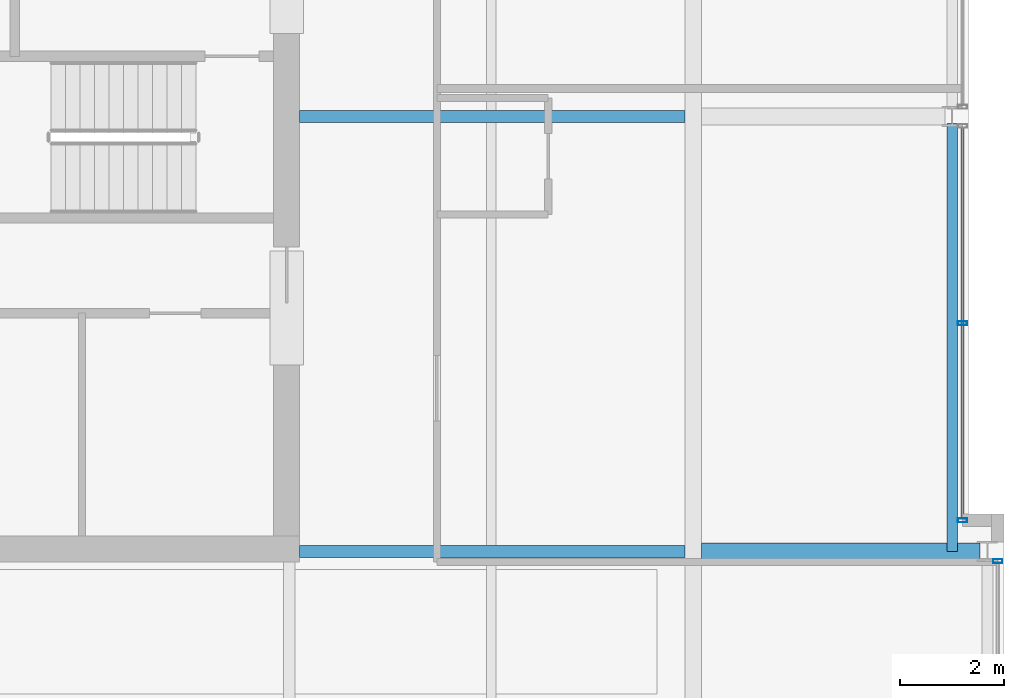
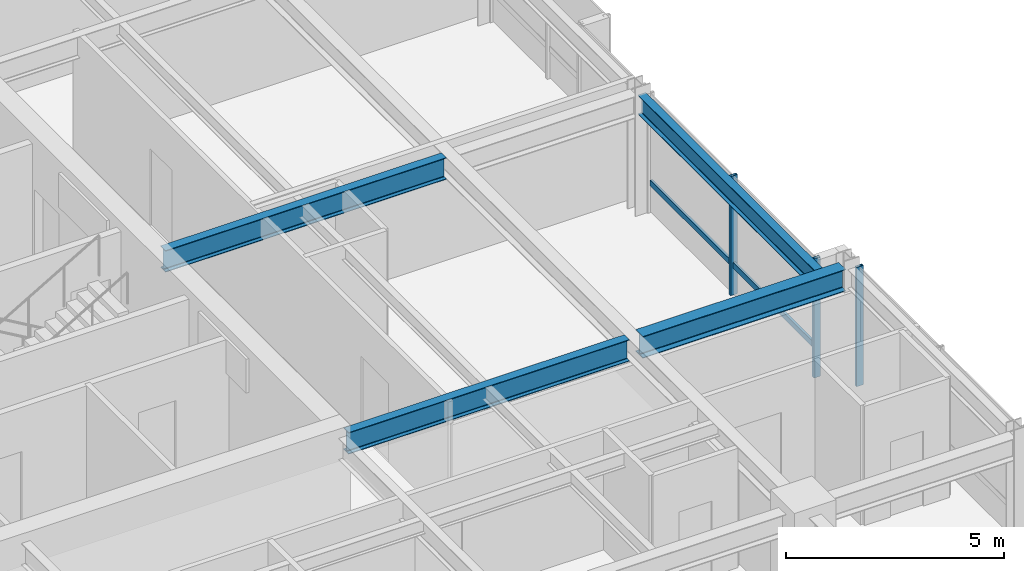
# One storey, part 15 of 32: 4 beams, 4 members, 2 elements without a shape of their own.
"""IFC4 building model written with IfcOpenShell, lengths in metres."""

from ifc_helpers import new_model, si_unit, direction, frame, origin, origin_2d, place, context, subcontext, project, spatial, hollow_rectangle, i_section, extrude, material, layer, layer_set, material_profile, profile_set, type_object, element, aggregate, save


model = new_model("IFC4")

# Units and contexts
model_context = context("Model", 3, precision=1e-05, world=origin(), true_north=direction((0.0, 1.0)))
body_context = subcontext(model_context, "Body", "Model", "MODEL_VIEW")
ifc_project = project(units=[si_unit("LENGTHUNIT", "METRE"), si_unit("AREAUNIT", "SQUARE_METRE"), si_unit("VOLUMEUNIT", "CUBIC_METRE"), si_unit("PLANEANGLEUNIT", "RADIAN"), si_unit("MASSUNIT", "GRAM", prefix="KILO")], contexts=[model_context])

# Site, building, storey
site_placement = place(None, origin())
site = spatial("IfcSite", under=ifc_project, at=site_placement, CompositionType="ELEMENT")
building_placement = place(site_placement, origin())
building = spatial("IfcBuilding", under=site, at=building_placement, Name="Drelvath Grand Hotel", CompositionType="ELEMENT")
storey_placement = place(building_placement, frame((0.0, 0.0, 223.10009765625)))
storey = spatial("IfcBuildingStorey", under=building, at=storey_placement, Name="L58", CompositionType="ELEMENT", Elevation=223.10009765625)

# Curtain wall, members
ifc_material_1 = material(Name="Platinum-Mist Anodised Aluminium Frame", Category="aluminium")
ifc_layer = layer(ifc_material_1, 0.199951171875)
ifc_layer_set = layer_set([ifc_layer], Name="Platinum-Mist Anodised Aluminium Frame")
curtain_wall_type = type_object("IfcCurtainWallType", Name="Stick Curtain Wall CW-05 Platinum Mist High-Rise", PredefinedType="NOTDEFINED", material=ifc_layer_set)
curtain_wall_1_placement = place(storey_placement, origin())
curtain_wall_1 = element("IfcCurtainWall", 1, at=curtain_wall_1_placement, inside=storey, type_object=curtain_wall_type, Name="L58 CW-05 Curtain Wall CW05-L58-EM1", PredefinedType="NOTDEFINED")
ifc_material_profile_1 = material_profile(ifc_material_1, hollow_rectangle(XDim=0.06494140625, YDim=0.159912109375, WallThickness=0.00390625, at=origin_2d()), Name="HSS160X65X4")
ifc_profile_set_1 = profile_set([ifc_material_profile_1], Name="Platinum-Mist Anodised Aluminium Frame")
member_type_1 = type_object("IfcMemberType", Name="Curtain Wall Horizontal Transom CW-05 HSS160X65X4", PredefinedType="USERDEFINED", material=ifc_profile_set_1)
member_1_placement = place(storey_placement, frame((21.39990234375, 26.774658203125, 0.8349609375), z_axis=(0.0, -1.0, 0.0), x_axis=(1.0, 0.0, 0.0)))
member_1 = element("IfcMember", 2, at=member_1_placement, type_object=member_type_1, Name="CW05-L58-EM1 Sill Transom", ObjectType="TRANSOM", PredefinedType="USERDEFINED", context=body_context, shape_type="SweptSolid", body=[
    extrude(hollow_rectangle(XDim=0.06494140625, YDim=0.159912109375, WallThickness=0.00390625, at=origin_2d()), origin(), (0.0, 0.0, 1.0), 7.53466796875),
])
ifc_material_profile_2 = material_profile(ifc_material_1, hollow_rectangle(XDim=0.074951171875, YDim=0.179931640625, WallThickness=0.0048828125, at=origin_2d()), Name="HSS180X75X5")
ifc_profile_set_2 = profile_set([ifc_material_profile_2], Name="Platinum-Mist Anodised Aluminium Frame")
member_type_2 = type_object("IfcMemberType", Name="Curtain Wall Vertical Mullion CW-05 HSS180X75X5", PredefinedType="MULLION", material=ifc_profile_set_2)
member_2_placement = place(storey_placement, frame((21.39990234375, 23.00732421875, 0.0), z_axis=(0.0, 0.0, 1.0), x_axis=(0.0, 1.0, 0.0)))
member_2 = element("IfcMember", 3, at=member_2_placement, type_object=member_type_2, Name="CW05-L58-EM1 Mullion 2", PredefinedType="MULLION", context=body_context, shape_type="SweptSolid", body=[
    extrude(hollow_rectangle(XDim=0.074951171875, YDim=0.179931640625, WallThickness=0.0048828125, at=origin_2d()), origin(), (0.0, 0.0, 1.0), 3.33984375),
])
member_3_placement = place(storey_placement, frame((21.39990234375, 19.199951171875, 0.0), z_axis=(0.0, 0.0, 1.0), x_axis=(0.0, 1.0, 0.0)))
member_3 = element("IfcMember", 4, at=member_3_placement, type_object=member_type_2, Name="CW05-L58-EM1 Mullion 3", PredefinedType="MULLION", context=body_context, shape_type="SweptSolid", body=[
    extrude(hollow_rectangle(XDim=0.074951171875, YDim=0.179931640625, WallThickness=0.0048828125, at=origin_2d()), origin(), (0.0, 0.0, 1.0), 3.33984375),
])
aggregate(curtain_wall_1, [member_2, member_3, member_1])

# Curtain wall, member
curtain_wall_2_placement = place(storey_placement, origin())
curtain_wall_2 = element("IfcCurtainWall", 5, at=curtain_wall_2_placement, inside=storey, type_object=curtain_wall_type, Name="L58 CW-05 Curtain Wall CW05-L58-ES2", PredefinedType="NOTDEFINED")
member_4_placement = place(storey_placement, frame((22.080078125, 18.414794921875, 0.0), z_axis=(0.0, 0.0, 1.0), x_axis=(0.0, 1.0, 0.0)))
member_4 = element("IfcMember", 6, at=member_4_placement, type_object=member_type_2, Name="CW05-L58-ES2 Mullion 1", PredefinedType="MULLION", context=body_context, shape_type="SweptSolid", body=[
    extrude(hollow_rectangle(XDim=0.074951171875, YDim=0.179931640625, WallThickness=0.0048828125, at=origin_2d()), origin(), (0.0, 0.0, 1.0), 3.33984375),
])
aggregate(curtain_wall_2, [member_4])

# Beams
ifc_material_2 = material(Name="Steel ASTM A992 Gr 50", Category="steel")
ifc_material_profile_3 = material_profile(ifc_material_2, i_section(OverallWidth=0.210205078125, OverallDepth=0.53662109375, WebThickness=0.010986328125, FlangeThickness=0.017333984375, FilletRadius=0.01806640625, at=origin_2d()), Name="W21X68")
ifc_profile_set_3 = profile_set([ifc_material_profile_3], Name="Steel ASTM A992 Gr 50")
beam_type_1 = type_object("IfcBeamType", Name="Perimeter Spandrel Beam W21X68", PredefinedType="SPANDREL", material=ifc_profile_set_3)
beam_1_placement = place(storey_placement, frame((21.199951171875, 18.60009765625, 3.071533203125), z_axis=(0.0, 1.0, 0.0), x_axis=(-1.0, 0.0, 0.0)))
element("IfcBeam", 7, at=beam_1_placement, inside=storey, type_object=beam_type_1, Name="L58 Spandrel East Mid S", PredefinedType="SPANDREL", context=body_context, shape_type="SweptSolid", body=[
    extrude(i_section(OverallWidth=0.210205078125, OverallDepth=0.53662109375, WebThickness=0.010986328125, FlangeThickness=0.017333984375, FilletRadius=0.01806640625, at=origin_2d()), origin(), (0.0, 0.0, 1.0), 8.260009765625),
])
ifc_material_profile_4 = material_profile(ifc_material_2, i_section(OverallWidth=0.323974609375, OverallDepth=0.611083984375, WebThickness=0.0126953125, FlangeThickness=0.01904296875, FilletRadius=0.02197265625, at=origin_2d()), Name="W24X104")
ifc_profile_set_4 = profile_set([ifc_material_profile_4], Name="Steel ASTM A992 Gr 50")
beam_type_2 = type_object("IfcBeamType", Name="Primary Floor Girder W24X104", PredefinedType="BEAM", material=ifc_profile_set_4)
beam_2_placement = place(storey_placement, frame((16.362060546875, 18.60009765625, 3.034423828125), z_axis=(1.0, 0.0, 0.0), x_axis=(0.0, 1.0, 0.0)))
element("IfcBeam", 8, at=beam_2_placement, inside=storey, type_object=beam_type_2, Name="L58 East Wing Girder D", PredefinedType="BEAM", context=body_context, shape_type="SweptSolid", body=[
    extrude(i_section(OverallWidth=0.323974609375, OverallDepth=0.611083984375, WebThickness=0.0126953125, FlangeThickness=0.01904296875, FilletRadius=0.02197265625, at=origin_2d()), origin(), (0.0, 0.0, 1.0), 5.3779296875),
])
ifc_material_profile_5 = material_profile(ifc_material_2, i_section(OverallWidth=0.228271484375, OverallDepth=0.607666015625, WebThickness=0.01123046875, FlangeThickness=0.017333984375, FilletRadius=0.02001953125, at=origin_2d()), Name="W24X76")
ifc_profile_set_5 = profile_set([ifc_material_profile_5], Name="Steel ASTM A992 Gr 50")
beam_type_3 = type_object("IfcBeamType", Name="Primary Floor Girder W24X76", PredefinedType="BEAM", material=ifc_profile_set_5)
for number, where, z_axis, x_axis, name in (
    (9, (8.60009765625, 18.60009765625, 3.0361328125), (1.0, 0.0, 0.0), (0.0, 1.0, 0.0), "L58 East Core Tie D"),
    (10, (8.60009765625, 27.0, 3.0361328125), (1.0, 0.0, 0.0), (0.0, 1.0, 0.0), "L58 East Core Tie E"),
):
    element("IfcBeam", number, at=place(storey_placement, frame(where, z_axis=z_axis, x_axis=x_axis)), inside=storey, type_object=beam_type_3, Name=name, PredefinedType="BEAM", context=body_context, shape_type="SweptSolid", body=[
        extrude(i_section(OverallWidth=0.228271484375, OverallDepth=0.607666015625, WebThickness=0.01123046875, FlangeThickness=0.017333984375, FilletRadius=0.02001953125, at=origin_2d()), origin(), (0.0, 0.0, 1.0), 7.43798828125),
    ])

save(model, "model.ifc")
